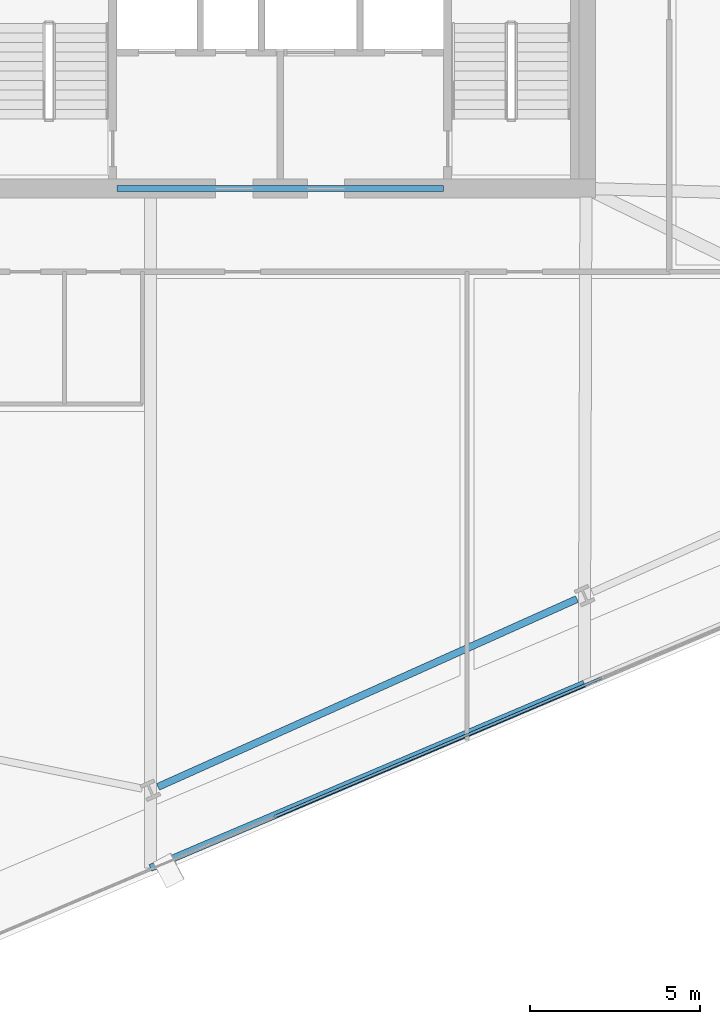
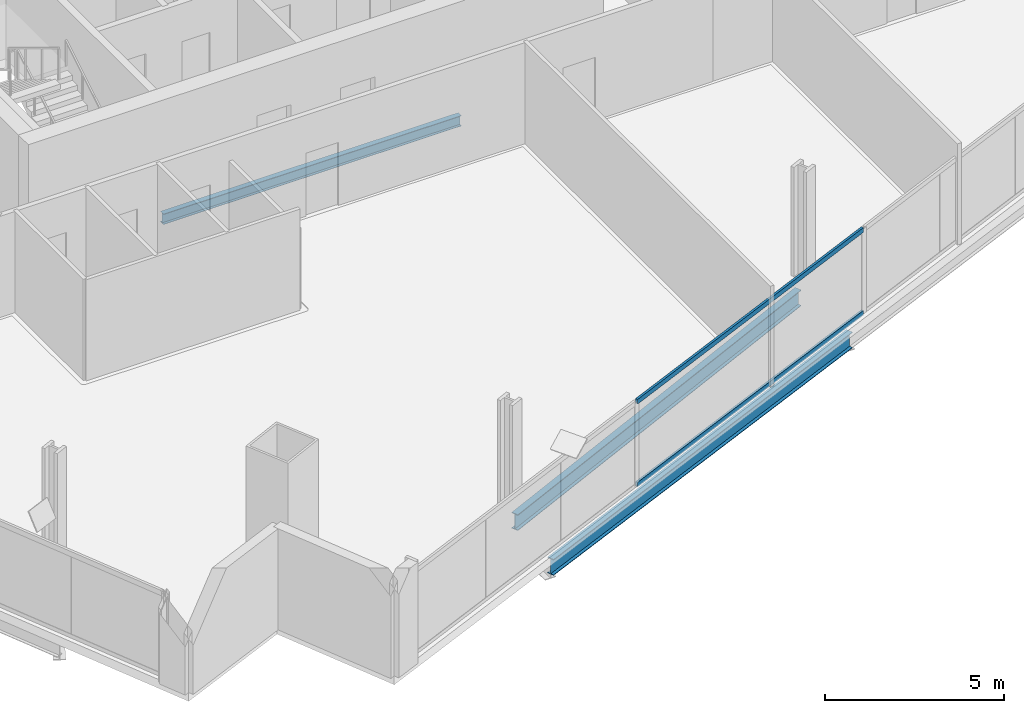
# One storey, part 7 of 34: 3 beams, 2 members, 1 element without a shape of its own.
"""IFC4 building model written with IfcOpenShell, lengths in metres."""

import ifcopenshell
import ifcopenshell.guid

model = None  # the IFC model being written
_history = None  # IfcOwnerHistory: only IFC2X3 demands one
_inside = {}  # id of a spatial element -> (the spatial element, [elements in it])
_under = {}  # id of a project, library or spatial element -> (it, [spatial elements below it])
_declared = {}  # id of a project -> (the project, [libraries it declares])
_typed = {}  # id of a type object -> (the type object, [elements of that type])
_made_of = {}  # id of a material, layer set ... -> (it, [elements and type objects made of it])


def new_model(schema):
    """Start an empty IFC model of exactly this schema.

    Asked for "IFC4X3", IfcOpenShell would pick the latest addendum, in which some entities
    have other attributes; the version numbers below select the first issue.
    IFC2X3 requires an IfcOwnerHistory on every rooted entity: one is made here for all.
    """
    global model, _history
    if schema == "IFC4X3":
        model = ifcopenshell.file(schema_version=(4, 3, 0, 0))
    else:
        model = ifcopenshell.file(schema=schema)
    _inside.clear()
    _under.clear()
    _declared.clear()
    _typed.clear()
    _made_of.clear()
    _history = None
    if model.schema == "IFC2X3":
        org = make("IfcOrganization", Name="unknown")
        user = make(
            "IfcPersonAndOrganization",
            ThePerson=make("IfcPerson", FamilyName="unknown"),
            TheOrganization=org,
        )
        app = make(
            "IfcApplication",
            ApplicationDeveloper=org,
            Version="unknown",
            ApplicationFullName="unknown",
            ApplicationIdentifier="unknown",
        )
        _history = make(
            "IfcOwnerHistory",
            OwningUser=user,
            OwningApplication=app,
            ChangeAction="ADDED",
            CreationDate=0,
        )
    return model


def make(cls, **values):
    """One entity of the class cls with the attributes given. An attribute that is None is left unset."""
    return model.create_entity(
        cls, **{name: value for name, value in values.items() if value is not None}
    )


def rooted(cls, **values):
    """An entity with a GlobalId (a new one), such as an element, a storey or a relation."""
    return make(cls, GlobalId=ifcopenshell.guid.new(), OwnerHistory=_history, **values)


def si_unit(unit_type, name, prefix=None):
    """IfcSIUnit, for example si_unit("LENGTHUNIT", "METRE", prefix="MILLI")."""
    return make("IfcSIUnit", UnitType=unit_type, Prefix=prefix, Name=name)


def assignment(units):
    """IfcUnitAssignment: the units of a project."""
    return None if units is None else make("IfcUnitAssignment", Units=units)


def point(xyz):
    """IfcCartesianPoint."""
    return None if xyz is None else make("IfcCartesianPoint", Coordinates=xyz)


def direction(xyz):
    """IfcDirection."""
    return None if xyz is None else make("IfcDirection", DirectionRatios=xyz)


def frame(location, z_axis=None, x_axis=None):
    """IfcAxis2Placement3D, a coordinate frame: its origin and axes. An axis left out is left unset."""
    return make(
        "IfcAxis2Placement3D",
        Location=point(location),
        Axis=direction(z_axis),
        RefDirection=direction(x_axis),
    )


def frame_2d(location, x_axis=None):
    """IfcAxis2Placement2D, a coordinate frame in the plane: its origin and x axis."""
    return make(
        "IfcAxis2Placement2D", Location=point(location), RefDirection=direction(x_axis)
    )


def origin():
    """The frame at (0, 0, 0) with its axes left unset."""
    return frame((0.0, 0.0, 0.0))


def origin_2d():
    """The frame at (0, 0) in the plane with its x axis left unset."""
    return frame_2d((0.0, 0.0))


def place(relative_to, where):
    """IfcLocalPlacement: puts the frame where relative to a parent placement (None: the world)."""
    return make(
        "IfcLocalPlacement", PlacementRelTo=relative_to, RelativePlacement=where
    )


def context(
    kind, dimensions, precision=None, world=None, true_north=None, identifier=None
):
    """IfcGeometricRepresentationContext, for example the 3D "Model" context."""
    return make(
        "IfcGeometricRepresentationContext",
        ContextIdentifier=identifier,
        ContextType=kind,
        CoordinateSpaceDimension=dimensions,
        Precision=precision,
        WorldCoordinateSystem=world,
        TrueNorth=true_north,
    )


def subcontext(parent, identifier, kind, view, scale=None):
    """IfcGeometricRepresentationSubContext, for example "Body" below "Model"."""
    return make(
        "IfcGeometricRepresentationSubContext",
        ContextIdentifier=identifier,
        ContextType=kind,
        ParentContext=parent,
        TargetScale=scale,
        TargetView=view,
    )


def project(units=None, contexts=None):
    """IfcProject with its units and contexts."""
    return rooted(
        "IfcProject",
        Name="project",
        RepresentationContexts=contexts,
        UnitsInContext=assignment(units),
    )


def spatial(cls, under=None, at=None, **own):
    """A site, building, storey or space (cls), placed at a placement, below another one or the project."""
    s = rooted(cls, ObjectPlacement=at, **own)
    if under is not None:
        _under.setdefault(under.id(), (under, []))[1].append(s)
    return s


def profile(cls, at=None, kind="AREA", **sizes):
    """A parametric profile (cls). Its sizes go by their IFC names, for example OverallWidth=200.0."""
    return make(cls, ProfileType=kind, Position=at, **sizes)


def hollow_rectangle(**sizes):
    """IfcRectangleHollowProfileDef."""
    return profile("IfcRectangleHollowProfileDef", **sizes)


def i_section(**sizes):
    """IfcIShapeProfileDef."""
    return profile("IfcIShapeProfileDef", **sizes)


def extrude(swept, where, along, depth):
    """IfcExtrudedAreaSolid: the profile swept, set in the frame where, extruded along a direction by depth."""
    return make(
        "IfcExtrudedAreaSolid",
        SweptArea=swept,
        Position=where,
        ExtrudedDirection=direction(along),
        Depth=depth,
    )


def shape(context_of_items, identifier, shape_type, items):
    """IfcShapeRepresentation: the items that make up one representation, for example the "Body"."""
    return make(
        "IfcShapeRepresentation",
        ContextOfItems=context_of_items,
        RepresentationIdentifier=identifier,
        RepresentationType=shape_type,
        Items=items,
    )


def material(Name=None, Category=None):
    """IfcMaterial."""
    return make("IfcMaterial", Name=Name, Category=Category)


def material_profile(
    of_material, cross_section, Name=None, Category=None, Priority=None
):
    """IfcMaterialProfile: a cross section and its material."""
    return make(
        "IfcMaterialProfile",
        Name=Name,
        Material=of_material,
        Profile=cross_section,
        Priority=Priority,
        Category=Category,
    )


def profile_set(profiles, Name=None, composite=None):
    """IfcMaterialProfileSet."""
    return make(
        "IfcMaterialProfileSet",
        Name=Name,
        MaterialProfiles=profiles,
        CompositeProfile=composite,
    )


def made_of(thing, what):
    """Note that an element or type object is made of a material, layer set ...; save() writes the relation."""
    if what is not None:
        _made_of.setdefault(what.id(), (what, []))[1].append(thing)
    return thing


def type_object(cls, material=None, **own):
    """A type object (cls), such as IfcWallType, which elements share."""
    return made_of(rooted(cls, **own), material)


def element(
    cls,
    number,
    at=None,
    inside=None,
    cuts=None,
    type_object=None,
    material=None,
    context=None,
    identifier="Body",
    shape_type=None,
    held_by="IfcProductDefinitionShape",
    body=None,
    shapes=None,
    **own,
):
    """One element of the class cls, such as IfcWall. Its Tag is "e" and its number.

    at: its placement. inside: the storey or other place that contains it. cuts: it is an
    opening in that element (IfcRelVoidsElement). A single representation is given by context,
    identifier, shape_type and body (its items); several are given by shapes. held_by: the class
    of the entity that holds the representations. save() writes the other relations.
    """
    e = rooted(cls, Tag="e%d" % number, ObjectPlacement=at, **own)
    if body is not None:
        shapes = [shape(context, identifier, shape_type, body)]
    if shapes is not None:
        e.Representation = make(held_by, Representations=shapes)
    if inside is not None:
        _inside.setdefault(inside.id(), (inside, []))[1].append(e)
    if cuts is not None:
        rooted(
            "IfcRelVoidsElement", RelatingBuildingElement=cuts, RelatedOpeningElement=e
        )
    if type_object is not None:
        _typed.setdefault(type_object.id(), (type_object, []))[1].append(e)
    return made_of(e, material)


def aggregate(whole, parts):
    """IfcRelAggregates: a whole, such as a stair, and the parts it consists of."""
    return rooted("IfcRelAggregates", RelatingObject=whole, RelatedObjects=parts)


def save(model, path):
    """Write the relations noted so far, then the file.

    IfcRelAggregates (storeys below a building ...), IfcRelContainedInSpatialStructure (elements
    in a storey), IfcRelDefinesByType, IfcRelAssociatesMaterial and IfcRelDeclares: one each for
    every whole, place, type object, material and project.
    """
    for whole, parts in _under.values():
        aggregate(whole, parts)
    for where, things in _inside.values():
        rooted(
            "IfcRelContainedInSpatialStructure",
            RelatedElements=things,
            RelatingStructure=where,
        )
    for kind, things in _typed.values():
        rooted("IfcRelDefinesByType", RelatedObjects=things, RelatingType=kind)
    for what, things in _made_of.values():
        rooted("IfcRelAssociatesMaterial", RelatedObjects=things, RelatingMaterial=what)
    for by, libraries in _declared.values():
        rooted("IfcRelDeclares", RelatingContext=by, RelatedDefinitions=libraries)
    model.write(path)


model = new_model("IFC4")

# Units and contexts
model_context = context("Model", 3, precision=1e-05, world=origin(), true_north=direction((0.0, 1.0)))
body_context = subcontext(model_context, "Body", "Model", "MODEL_VIEW")
ifc_project = project(units=[si_unit("LENGTHUNIT", "METRE"), si_unit("AREAUNIT", "SQUARE_METRE"), si_unit("VOLUMEUNIT", "CUBIC_METRE"), si_unit("PLANEANGLEUNIT", "RADIAN"), si_unit("MASSUNIT", "GRAM", prefix="KILO")], contexts=[model_context])

# Site, building, storey
site_placement = place(None, origin())
site = spatial("IfcSite", under=ifc_project, at=site_placement, CompositionType="ELEMENT")
building_placement = place(site_placement, origin())
building = spatial("IfcBuilding", under=site, at=building_placement, Name="Haldenkirk Collegiate Tower", CompositionType="ELEMENT")
storey_placement = place(building_placement, frame((0.0, 0.0, 105.449951171875)))
storey = spatial("IfcBuildingStorey", under=building, at=storey_placement, Name="L25", CompositionType="ELEMENT", Elevation=105.449951171875)

# Beams
ifc_material_1 = material(Name="Steel ASTM A992 Grade 50", Category="steel")
ifc_material_profile_1 = material_profile(ifc_material_1, i_section(OverallWidth=0.1708984375, OverallDepth=0.35595703125, WebThickness=0.007080078125, FlangeThickness=0.01171875, at=origin_2d()), Name="W14X34")
ifc_profile_set_1 = profile_set([ifc_material_profile_1], Name="Steel ASTM A992 Grade 50")
beam_type_1 = type_object("IfcBeamType", Name="BM-LINTEL-W14X34", PredefinedType="LINTEL", material=ifc_profile_set_1)
beam_1_placement = place(storey_placement, frame((31.199951171875, 18.0, -0.47802734375), z_axis=(1.0, 0.0, 0.0), x_axis=(0.0, 1.0, 0.0)))
element("IfcBeam", 1, at=beam_1_placement, inside=storey, type_object=beam_type_1, Name="L25 south core coupling lintel", PredefinedType="LINTEL", context=body_context, shape_type="SweptSolid", body=[
    extrude(i_section(OverallWidth=0.1708984375, OverallDepth=0.35595703125, WebThickness=0.007080078125, FlangeThickness=0.01171875, at=origin_2d()), origin(), (0.0, 0.0, 1.0), 9.60009765625),
])
ifc_material_profile_2 = material_profile(ifc_material_1, i_section(OverallWidth=0.2119140625, OverallDepth=0.5439453125, WebThickness=0.01318359375, FlangeThickness=0.021240234375, at=origin_2d()), Name="W21X83")
ifc_profile_set_2 = profile_set([ifc_material_profile_2], Name="Steel ASTM A992 Grade 50")
beam_type_2 = type_object("IfcBeamType", Name="BM-SPANDREL-W21X83", PredefinedType="SPANDREL", material=ifc_profile_set_2)
beam_2_placement = place(storey_placement, frame((32.405517578125, 0.3876953125, -0.572021484375), z_axis=(0.912476765144, 0.409128528793, 0.0), x_axis=(-0.409128528793, 0.912476765144, 0.0)))
element("IfcBeam", 2, at=beam_2_placement, inside=storey, type_object=beam_type_2, Name="L25 perimeter spandrel beam 02", PredefinedType="SPANDREL", context=body_context, shape_type="SweptSolid", body=[
    extrude(i_section(OverallWidth=0.2119140625, OverallDepth=0.5439453125, WebThickness=0.01318359375, FlangeThickness=0.021240234375, at=origin_2d()), origin(), (0.0, 0.0, 1.0), 13.512939453125),
])
beam_3_placement = place(storey_placement, frame((32.181396484375, -1.997802734375, -0.572021484375), z_axis=(0.92050583622, 0.390728813226, 0.0), x_axis=(-0.390728813226, 0.92050583622, 0.0)))
element("IfcBeam", 3, at=beam_3_placement, inside=storey, type_object=beam_type_2, Name="L25 outer facade edge beam 1A", PredefinedType="SPANDREL", context=body_context, shape_type="SweptSolid", body=[
    extrude(i_section(OverallWidth=0.2119140625, OverallDepth=0.5439453125, WebThickness=0.01318359375, FlangeThickness=0.021240234375, at=origin_2d()), origin(), (0.0, 0.0, 1.0), 13.87255859375),
])

# Curtain wall, members
ifc_material_2 = material(Name="Anodised architectural bronze aluminium", Category="aluminium")
curtain_wall_type = type_object("IfcCurtainWallType", Name="CW-SYS2-CONCAVE", PredefinedType="USERDEFINED", material=ifc_material_2)
curtain_wall_placement = place(storey_placement, origin())
curtain_wall = element("IfcCurtainWall", 4, at=curtain_wall_placement, inside=storey, type_object=curtain_wall_type, Name="L25 South concave recessed bronze-anodised curtain wall", ObjectType="UNITISED CURTAIN WALL", PredefinedType="USERDEFINED")
ifc_material_profile_3 = material_profile(ifc_material_2, hollow_rectangle(XDim=0.074951171875, YDim=0.159912109375, WallThickness=0.0048828125, at=origin_2d()), Name="CW-TRN-02")
ifc_profile_set_3 = profile_set([ifc_material_profile_3], Name="Anodised architectural bronze aluminium")
member_type = type_object("IfcMemberType", Name="CW-TRN-02", PredefinedType="USERDEFINED", material=ifc_profile_set_3)
member_1_placement = place(storey_placement, frame((45.468017578125, 3.5986328125, 0.03759765625), z_axis=(-0.92050660039, -0.390727012937, 0.0), x_axis=(0.390727012937, -0.92050660039, 0.0)))
member_1 = element("IfcMember", 5, at=member_1_placement, type_object=member_type, Name="CW-02 transom 3.1", ObjectType="TRANSOM", PredefinedType="USERDEFINED", context=body_context, shape_type="SweptSolid", body=[
    extrude(hollow_rectangle(XDim=0.074951171875, YDim=0.159912109375, WallThickness=0.0048828125, at=origin_2d()), origin(), (0.0, 0.0, 1.0), 10.474853515625),
])
member_2_placement = place(storey_placement, frame((45.468017578125, 3.5986328125, 2.863525390625), z_axis=(-0.92050660039, -0.390727012937, 0.0), x_axis=(0.390727012937, -0.92050660039, 0.0)))
member_2 = element("IfcMember", 6, at=member_2_placement, type_object=member_type, Name="CW-02 transom 3.2", ObjectType="TRANSOM", PredefinedType="USERDEFINED", context=body_context, shape_type="SweptSolid", body=[
    extrude(hollow_rectangle(XDim=0.074951171875, YDim=0.159912109375, WallThickness=0.0048828125, at=origin_2d()), origin(), (0.0, 0.0, 1.0), 10.474853515625),
])
aggregate(curtain_wall, [member_1, member_2])

save(model, "model.ifc")
